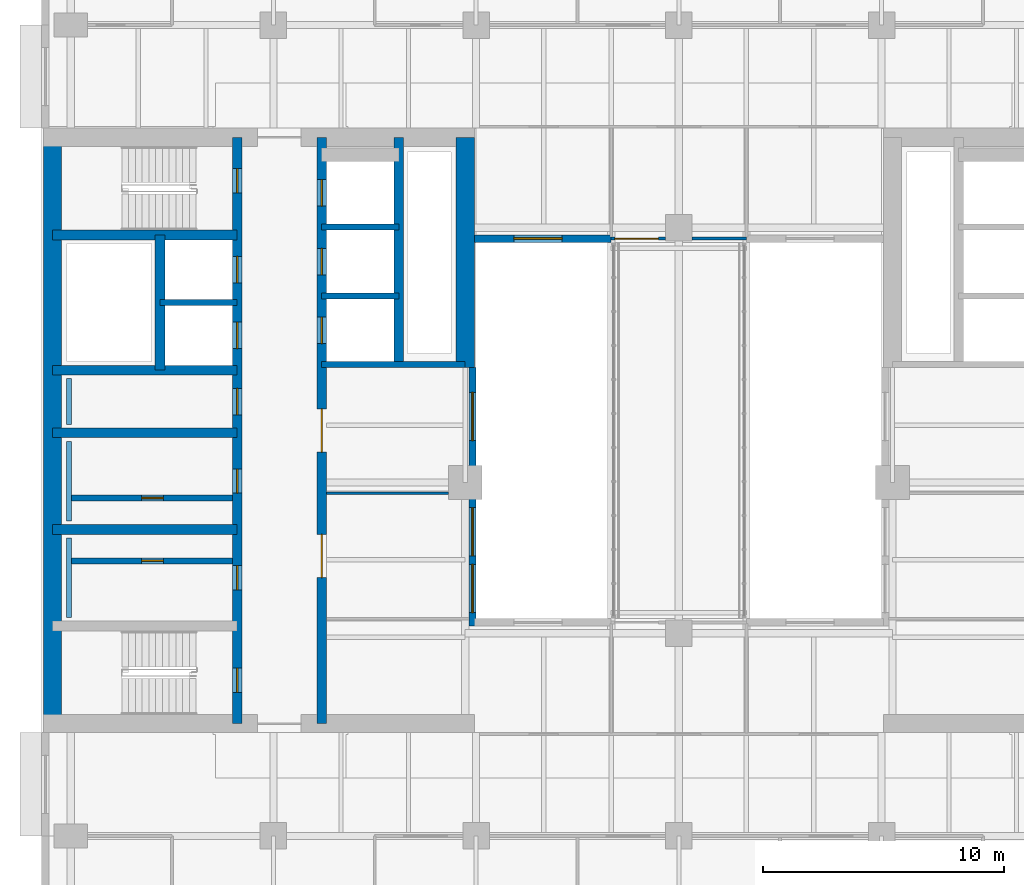
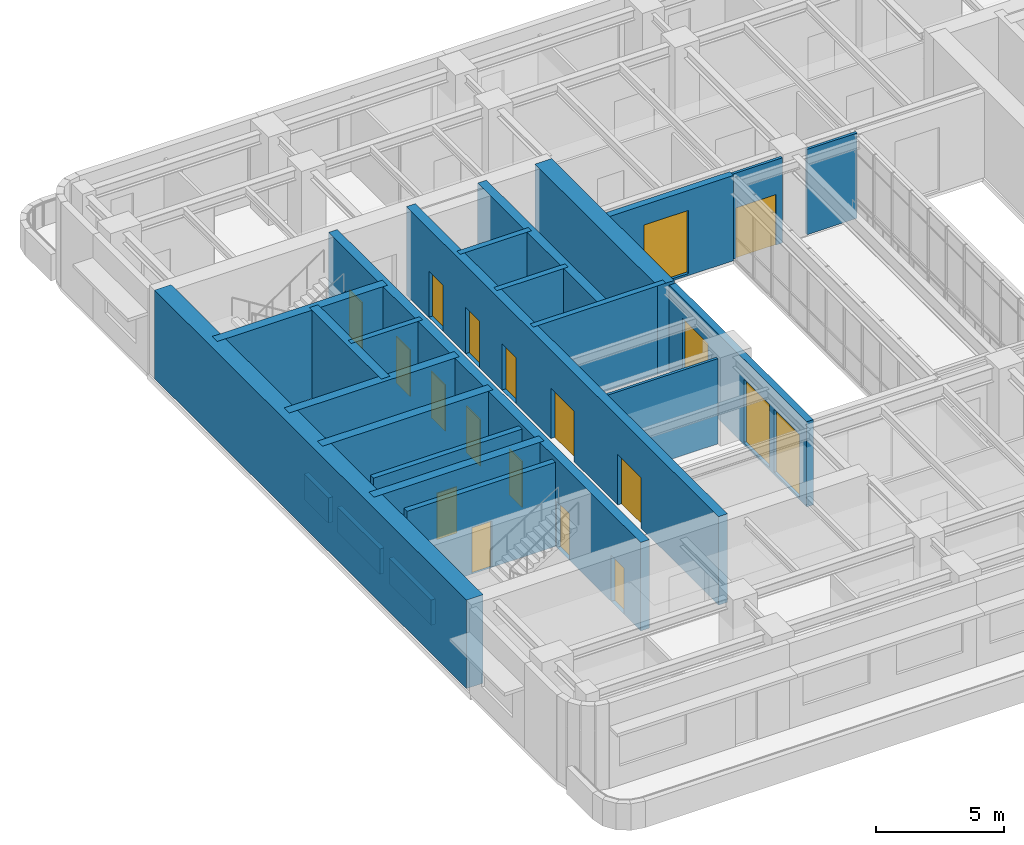
# One storey, part 7 of 15: 24 walls, 15 doors, 4 windows, 19 openings.
"""IFC4 building model written with IfcOpenShell, lengths in metres."""

import ifcopenshell
import ifcopenshell.guid

model = None  # the IFC model being written
_history = None  # IfcOwnerHistory: only IFC2X3 demands one
_inside = {}  # id of a spatial element -> (the spatial element, [elements in it])
_under = {}  # id of a project, library or spatial element -> (it, [spatial elements below it])
_declared = {}  # id of a project -> (the project, [libraries it declares])
_typed = {}  # id of a type object -> (the type object, [elements of that type])
_made_of = {}  # id of a material, layer set ... -> (it, [elements and type objects made of it])


def new_model(schema):
    """Start an empty IFC model of exactly this schema.

    Asked for "IFC4X3", IfcOpenShell would pick the latest addendum, in which some entities
    have other attributes; the version numbers below select the first issue.
    IFC2X3 requires an IfcOwnerHistory on every rooted entity: one is made here for all.
    """
    global model, _history
    if schema == "IFC4X3":
        model = ifcopenshell.file(schema_version=(4, 3, 0, 0))
    else:
        model = ifcopenshell.file(schema=schema)
    _inside.clear()
    _under.clear()
    _declared.clear()
    _typed.clear()
    _made_of.clear()
    _history = None
    if model.schema == "IFC2X3":
        org = make("IfcOrganization", Name="unknown")
        user = make(
            "IfcPersonAndOrganization",
            ThePerson=make("IfcPerson", FamilyName="unknown"),
            TheOrganization=org,
        )
        app = make(
            "IfcApplication",
            ApplicationDeveloper=org,
            Version="unknown",
            ApplicationFullName="unknown",
            ApplicationIdentifier="unknown",
        )
        _history = make(
            "IfcOwnerHistory",
            OwningUser=user,
            OwningApplication=app,
            ChangeAction="ADDED",
            CreationDate=0,
        )
    return model


def make(cls, **values):
    """One entity of the class cls with the attributes given. An attribute that is None is left unset."""
    return model.create_entity(
        cls, **{name: value for name, value in values.items() if value is not None}
    )


def rooted(cls, **values):
    """An entity with a GlobalId (a new one), such as an element, a storey or a relation."""
    return make(cls, GlobalId=ifcopenshell.guid.new(), OwnerHistory=_history, **values)


def si_unit(unit_type, name, prefix=None):
    """IfcSIUnit, for example si_unit("LENGTHUNIT", "METRE", prefix="MILLI")."""
    return make("IfcSIUnit", UnitType=unit_type, Prefix=prefix, Name=name)


def assignment(units):
    """IfcUnitAssignment: the units of a project."""
    return None if units is None else make("IfcUnitAssignment", Units=units)


def point(xyz):
    """IfcCartesianPoint."""
    return None if xyz is None else make("IfcCartesianPoint", Coordinates=xyz)


def direction(xyz):
    """IfcDirection."""
    return None if xyz is None else make("IfcDirection", DirectionRatios=xyz)


def frame(location, z_axis=None, x_axis=None):
    """IfcAxis2Placement3D, a coordinate frame: its origin and axes. An axis left out is left unset."""
    return make(
        "IfcAxis2Placement3D",
        Location=point(location),
        Axis=direction(z_axis),
        RefDirection=direction(x_axis),
    )


def frame_2d(location, x_axis=None):
    """IfcAxis2Placement2D, a coordinate frame in the plane: its origin and x axis."""
    return make(
        "IfcAxis2Placement2D", Location=point(location), RefDirection=direction(x_axis)
    )


def origin():
    """The frame at (0, 0, 0) with its axes left unset."""
    return frame((0.0, 0.0, 0.0))


def place(relative_to, where):
    """IfcLocalPlacement: puts the frame where relative to a parent placement (None: the world)."""
    return make(
        "IfcLocalPlacement", PlacementRelTo=relative_to, RelativePlacement=where
    )


def context(
    kind, dimensions, precision=None, world=None, true_north=None, identifier=None
):
    """IfcGeometricRepresentationContext, for example the 3D "Model" context."""
    return make(
        "IfcGeometricRepresentationContext",
        ContextIdentifier=identifier,
        ContextType=kind,
        CoordinateSpaceDimension=dimensions,
        Precision=precision,
        WorldCoordinateSystem=world,
        TrueNorth=true_north,
    )


def subcontext(parent, identifier, kind, view, scale=None):
    """IfcGeometricRepresentationSubContext, for example "Body" below "Model"."""
    return make(
        "IfcGeometricRepresentationSubContext",
        ContextIdentifier=identifier,
        ContextType=kind,
        ParentContext=parent,
        TargetScale=scale,
        TargetView=view,
    )


def project(units=None, contexts=None):
    """IfcProject with its units and contexts."""
    return rooted(
        "IfcProject",
        Name="project",
        RepresentationContexts=contexts,
        UnitsInContext=assignment(units),
    )


def spatial(cls, under=None, at=None, **own):
    """A site, building, storey or space (cls), placed at a placement, below another one or the project."""
    s = rooted(cls, ObjectPlacement=at, **own)
    if under is not None:
        _under.setdefault(under.id(), (under, []))[1].append(s)
    return s


def profile(cls, at=None, kind="AREA", **sizes):
    """A parametric profile (cls). Its sizes go by their IFC names, for example OverallWidth=200.0."""
    return make(cls, ProfileType=kind, Position=at, **sizes)


def rectangle(**sizes):
    """IfcRectangleProfileDef."""
    return profile("IfcRectangleProfileDef", **sizes)


def extrude(swept, where, along, depth):
    """IfcExtrudedAreaSolid: the profile swept, set in the frame where, extruded along a direction by depth."""
    return make(
        "IfcExtrudedAreaSolid",
        SweptArea=swept,
        Position=where,
        ExtrudedDirection=direction(along),
        Depth=depth,
    )


def shape(context_of_items, identifier, shape_type, items):
    """IfcShapeRepresentation: the items that make up one representation, for example the "Body"."""
    return make(
        "IfcShapeRepresentation",
        ContextOfItems=context_of_items,
        RepresentationIdentifier=identifier,
        RepresentationType=shape_type,
        Items=items,
    )


def material(Name=None, Category=None):
    """IfcMaterial."""
    return make("IfcMaterial", Name=Name, Category=Category)


def layer(
    of_material, thickness, ventilated=None, Name=None, Category=None, Priority=None
):
    """IfcMaterialLayer: one layer of a wall or slab, of a material (None: an air gap)."""
    return make(
        "IfcMaterialLayer",
        Material=of_material,
        LayerThickness=thickness,
        IsVentilated=ventilated,
        Name=Name,
        Category=Category,
        Priority=Priority,
    )


def layer_set(layers, Name=None):
    """IfcMaterialLayerSet."""
    return make("IfcMaterialLayerSet", MaterialLayers=layers, LayerSetName=Name)


def made_of(thing, what):
    """Note that an element or type object is made of a material, layer set ...; save() writes the relation."""
    if what is not None:
        _made_of.setdefault(what.id(), (what, []))[1].append(thing)
    return thing


def type_object(cls, material=None, **own):
    """A type object (cls), such as IfcWallType, which elements share."""
    return made_of(rooted(cls, **own), material)


def element(
    cls,
    number,
    at=None,
    inside=None,
    cuts=None,
    type_object=None,
    material=None,
    context=None,
    identifier="Body",
    shape_type=None,
    held_by="IfcProductDefinitionShape",
    body=None,
    shapes=None,
    **own,
):
    """One element of the class cls, such as IfcWall. Its Tag is "e" and its number.

    at: its placement. inside: the storey or other place that contains it. cuts: it is an
    opening in that element (IfcRelVoidsElement). A single representation is given by context,
    identifier, shape_type and body (its items); several are given by shapes. held_by: the class
    of the entity that holds the representations. save() writes the other relations.
    """
    e = rooted(cls, Tag="e%d" % number, ObjectPlacement=at, **own)
    if body is not None:
        shapes = [shape(context, identifier, shape_type, body)]
    if shapes is not None:
        e.Representation = make(held_by, Representations=shapes)
    if inside is not None:
        _inside.setdefault(inside.id(), (inside, []))[1].append(e)
    if cuts is not None:
        rooted(
            "IfcRelVoidsElement", RelatingBuildingElement=cuts, RelatedOpeningElement=e
        )
    if type_object is not None:
        _typed.setdefault(type_object.id(), (type_object, []))[1].append(e)
    return made_of(e, material)


def fill(opening, filler):
    """IfcRelFillsElement: the door or window that sits in an opening."""
    return rooted(
        "IfcRelFillsElement",
        RelatingOpeningElement=opening,
        RelatedBuildingElement=filler,
    )


def aggregate(whole, parts):
    """IfcRelAggregates: a whole, such as a stair, and the parts it consists of."""
    return rooted("IfcRelAggregates", RelatingObject=whole, RelatedObjects=parts)


def save(model, path):
    """Write the relations noted so far, then the file.

    IfcRelAggregates (storeys below a building ...), IfcRelContainedInSpatialStructure (elements
    in a storey), IfcRelDefinesByType, IfcRelAssociatesMaterial and IfcRelDeclares: one each for
    every whole, place, type object, material and project.
    """
    for whole, parts in _under.values():
        aggregate(whole, parts)
    for where, things in _inside.values():
        rooted(
            "IfcRelContainedInSpatialStructure",
            RelatedElements=things,
            RelatingStructure=where,
        )
    for kind, things in _typed.values():
        rooted("IfcRelDefinesByType", RelatedObjects=things, RelatingType=kind)
    for what, things in _made_of.values():
        rooted("IfcRelAssociatesMaterial", RelatedObjects=things, RelatingMaterial=what)
    for by, libraries in _declared.values():
        rooted("IfcRelDeclares", RelatingContext=by, RelatedDefinitions=libraries)
    model.write(path)


model = new_model("IFC4")

# Units and contexts
model_context = context("Model", 3, precision=1e-05, world=origin(), true_north=direction((0.0, 1.0)))
body_context = subcontext(model_context, "Body", "Model", "MODEL_VIEW")
ifc_project = project(units=[si_unit("LENGTHUNIT", "METRE"), si_unit("AREAUNIT", "SQUARE_METRE"), si_unit("VOLUMEUNIT", "CUBIC_METRE"), si_unit("PLANEANGLEUNIT", "RADIAN"), si_unit("MASSUNIT", "GRAM", prefix="KILO")], contexts=[model_context])

# Site, building, storey
site_placement = place(None, origin())
site = spatial("IfcSite", under=ifc_project, at=site_placement, CompositionType="ELEMENT")
building_placement = place(site_placement, origin())
building = spatial("IfcBuilding", under=site, at=building_placement, Name="Claustro Exchange Tower", CompositionType="ELEMENT")
storey_placement = place(building_placement, frame((0.0, 0.0, 173.39990234375)))
storey = spatial("IfcBuildingStorey", under=building, at=storey_placement, Name="L39", CompositionType="ELEMENT", Elevation=173.39990234375)

# Wall, opening, door
ifc_material_1 = material(Name="Aluminium frame, clear double glazing", Category="aluminium")
ifc_layer_1 = layer(ifc_material_1, 0.1201171875)
ifc_layer_set_1 = layer_set([ifc_layer_1], Name="Aluminium frame, clear double glazing")
wall_type_1 = type_object("IfcWallType", Name="GS2 120 glazed bridge screen", PredefinedType="SOLIDWALL", material=ifc_layer_set_1)
wall_1_placement = place(storey_placement, frame((22.39990234375, 33.14990234375, 0.0), z_axis=(0.0, 0.0, 1.0), x_axis=(1.0, 0.0, 0.0)))
wall_1 = element("IfcWall", 1, at=wall_1_placement, inside=storey, type_object=wall_type_1, Name="Bridge screen GS2 L39", PredefinedType="SOLIDWALL", context=body_context, shape_type="SweptSolid", body=[
    extrude(rectangle(XDim=2.25, YDim=0.1201171875, at=frame_2d((1.125, 0.0))), origin(), (0.0, 0.0, 1.0), 4.050048828125),
])
opening_1_placement = place(wall_1_placement, frame((0.14990234375, 0.0, 0.0)))
opening_1 = element("IfcOpeningElement", 2, at=opening_1_placement, cuts=wall_1, Name="Opening DE4", PredefinedType="OPENING", context=body_context, shape_type="SweptSolid", body=[
    extrude(rectangle(XDim=1.800048828125, YDim=2.39990234375, at=frame_2d((0.89990234375, 1.199951171875))), frame((0.0, 0.070068359375, 0.0), z_axis=(0.0, -1.0, 0.0), x_axis=(1.0, 0.0, 0.0)), (0.0, 0.0, 1.0), 0.14013671875),
])
ifc_material_2 = material(Name="Aluminium frame, clear double glazing", Category="aluminium")
door_type_1 = type_object("IfcDoorType", Name="DE4 1800 x 2400 sky bridge glazed double door", OperationType="DOUBLE_DOOR_SINGLE_SWING", PredefinedType="DOOR", material=ifc_material_2)
door_1_placement = place(opening_1_placement, origin())
door_1 = element("IfcDoor", 3, at=door_1_placement, inside=storey, type_object=door_type_1, Name="Sky bridge door DE4 L39", OperationType="DOUBLE_DOOR_SINGLE_SWING", OverallHeight=2.39990234375, OverallWidth=1.800048828125, PredefinedType="DOOR", context=body_context, shape_type="SweptSolid", body=[
    extrude(rectangle(XDim=1.800048828125, YDim=2.39990234375, at=frame_2d((0.89990234375, 1.199951171875))), frame((0.0, 0.02490234375, 0.0), z_axis=(0.0, -1.0, 0.0), x_axis=(1.0, 0.0, 0.0)), (0.0, 0.0, 1.0), 0.050048828125),
])
fill(opening_1, door_1)

# Walls
wall_2_placement = place(storey_placement, frame((25.75, 33.14990234375, 0.0), z_axis=(0.0, 0.0, 1.0), x_axis=(1.0, 0.0, 0.0)))
element("IfcWall", 4, at=wall_2_placement, inside=storey, type_object=wall_type_1, Name="Bridge screen GS2 L39", PredefinedType="SOLIDWALL", context=body_context, shape_type="SweptSolid", body=[
    extrude(rectangle(XDim=2.25, YDim=0.1201171875, at=frame_2d((1.125, 0.0))), origin(), (0.0, 0.0, 1.0), 4.050048828125),
])
ifc_material_3 = material(Name="Laminated glass in aluminium frame", Category="aluminium")
ifc_layer_2 = layer(ifc_material_3, 0.1201171875)
ifc_layer_set_2 = layer_set([ifc_layer_2], Name="Laminated glass in aluminium frame")
wall_type_2 = type_object("IfcWallType", Name="P2 120 glazed partition", PredefinedType="PARTITIONING", material=ifc_layer_set_2)
wall_3_placement = place(storey_placement, frame((10.597900390625, 22.60009765625, 0.0), z_axis=(0.0, 0.0, 1.0), x_axis=(1.0, 0.0, 0.0)))
element("IfcWall", 5, at=wall_3_placement, inside=storey, type_object=wall_type_2, Name="Partition P2 L39", PredefinedType="PARTITIONING", context=body_context, shape_type="SweptSolid", body=[
    extrude(rectangle(XDim=5.052978515625, YDim=0.1201171875, at=frame_2d((2.5263671875, 0.0))), origin(), (0.0, 0.0, 1.0), 4.050048828125),
])

# Wall, opening, door
ifc_material_4 = material(Name="Concrete blockwork, rendered", Category="masonry")
ifc_layer_3 = layer(ifc_material_4, 0.25)
ifc_layer_set_3 = layer_set([ifc_layer_3], Name="Concrete blockwork, rendered")
wall_type_3 = type_object("IfcWallType", Name="P4 250 blockwork wall", PredefinedType="PARTITIONING", material=ifc_layer_set_3)
wall_4_placement = place(storey_placement, frame((0.02490234375, 22.39990234375, 0.0), z_axis=(0.0, 0.0, 1.0), x_axis=(1.0, 0.0, 0.0)))
wall_4 = element("IfcWall", 6, at=wall_4_placement, inside=storey, type_object=wall_type_3, Name="Partition P4 L39", PredefinedType="PARTITIONING", context=body_context, shape_type="SweptSolid", body=[
    extrude(rectangle(XDim=6.675048828125, YDim=0.25, at=frame_2d((3.33740234375, 0.0))), origin(), (0.0, 0.0, 1.0), 4.0),
])
opening_2_placement = place(wall_4_placement, frame((2.91259765625, 0.0, 0.0)))
opening_2 = element("IfcOpeningElement", 7, at=opening_2_placement, cuts=wall_4, Name="Opening D5", PredefinedType="OPENING", context=body_context, shape_type="SweptSolid", body=[
    extrude(rectangle(XDim=0.89990234375, YDim=2.199951171875, at=frame_2d((0.449951171875, 1.10009765625))), frame((0.0, 0.135009765625, 0.0), z_axis=(0.0, -1.0, 0.0), x_axis=(1.0, 0.0, 0.0)), (0.0, 0.0, 1.0), 0.27001953125),
])
ifc_material_5 = material(Name="Steel door, painted", Category="steel")
door_type_2 = type_object("IfcDoorType", Name="D5 900 x 2200 store door", OperationType="SINGLE_SWING_LEFT", PredefinedType="DOOR", material=ifc_material_5)
door_2_placement = place(opening_2_placement, frame((0.89990234375, 0.0, 0.0), z_axis=(0.0, 0.0, 1.0), x_axis=(-1.0, 0.0, 0.0)))
door_2 = element("IfcDoor", 8, at=door_2_placement, inside=storey, type_object=door_type_2, Name="Store door D5 L39", OperationType="SINGLE_SWING_LEFT", OverallHeight=2.199951171875, OverallWidth=0.89990234375, PredefinedType="DOOR", context=body_context, shape_type="SweptSolid", body=[
    extrude(rectangle(XDim=0.89990234375, YDim=2.199951171875, at=frame_2d((0.449951171875, 1.10009765625))), frame((0.0, 0.02490234375, 0.0), z_axis=(0.0, -1.0, 0.0), x_axis=(1.0, 0.0, 0.0)), (0.0, 0.0, 1.0), 0.050048828125),
])
fill(opening_2, door_2)

wall_5_placement = place(storey_placement, frame((0.02490234375, 19.800048828125, 0.0), z_axis=(0.0, 0.0, 1.0), x_axis=(1.0, 0.0, 0.0)))
wall_5 = element("IfcWall", 9, at=wall_5_placement, inside=storey, type_object=wall_type_3, Name="Partition P4 L39", PredefinedType="PARTITIONING", context=body_context, shape_type="SweptSolid", body=[
    extrude(rectangle(XDim=6.675048828125, YDim=0.25, at=frame_2d((3.33740234375, 0.0))), origin(), (0.0, 0.0, 1.0), 4.0),
])
opening_3_placement = place(wall_5_placement, frame((2.91259765625, 0.0, 0.0)))
opening_3 = element("IfcOpeningElement", 10, at=opening_3_placement, cuts=wall_5, Name="Opening D5", PredefinedType="OPENING", context=body_context, shape_type="SweptSolid", body=[
    extrude(rectangle(XDim=0.89990234375, YDim=2.199951171875, at=frame_2d((0.449951171875, 1.10009765625))), frame((0.0, 0.135009765625, 0.0), z_axis=(0.0, -1.0, 0.0), x_axis=(1.0, 0.0, 0.0)), (0.0, 0.0, 1.0), 0.27001953125),
])
door_3_placement = place(opening_3_placement, origin())
door_3 = element("IfcDoor", 11, at=door_3_placement, inside=storey, type_object=door_type_2, Name="Store door D5 L39", OperationType="SINGLE_SWING_RIGHT", OverallHeight=2.199951171875, OverallWidth=0.89990234375, PredefinedType="DOOR", context=body_context, shape_type="SweptSolid", body=[
    extrude(rectangle(XDim=0.89990234375, YDim=2.199951171875, at=frame_2d((0.449951171875, 1.10009765625))), frame((0.0, 0.02490234375, 0.0), z_axis=(0.0, -1.0, 0.0), x_axis=(1.0, 0.0, 0.0)), (0.0, 0.0, 1.0), 0.050048828125),
])
fill(opening_3, door_3)

# Wall, openings, windows
ifc_material_6 = material(Name="Concrete HA-40 (C40/50), precast, white cement, acid-etched", Category="concrete")
ifc_layer_4 = layer(ifc_material_6, 0.300048828125)
ifc_layer_set_4 = layer_set([ifc_layer_4], Name="Concrete HA-40 (C40/50), precast, white cement, acid-etched")
wall_type_4 = type_object("IfcWallType", Name="PC1 300 precast concrete pier panel", PredefinedType="SOLIDWALL", material=ifc_layer_set_4)
wall_6_placement = place(storey_placement, frame((16.64990234375, 17.10009765625, 0.0), z_axis=(0.0, 0.0, 1.0), x_axis=(0.0, 1.0, 0.0)))
wall_6 = element("IfcWall", 12, at=wall_6_placement, inside=storey, type_object=wall_type_4, Name="Precast pier panel PC1 L39", PredefinedType="SOLIDWALL", context=body_context, shape_type="SweptSolid", body=[
    extrude(rectangle(XDim=10.699951171875, YDim=0.300048828125, at=frame_2d((5.35009765625, 0.0))), origin(), (0.0, 0.0, 1.0), 4.050048828125),
])
opening_4_placement = place(wall_6_placement, frame((0.550048828125, 0.0, 0.10009765625)))
opening_4 = element("IfcOpeningElement", 13, at=opening_4_placement, cuts=wall_6, Name="Opening W-A", PredefinedType="OPENING", context=body_context, shape_type="SweptSolid", body=[
    extrude(rectangle(XDim=2.0, YDim=3.0, at=frame_2d((1.0, 1.5))), frame((0.0, 0.159912109375, 0.0), z_axis=(0.0, -1.0, 0.0), x_axis=(1.0, 0.0, 0.0)), (0.0, 0.0, 1.0), 0.320068359375),
])
opening_5_placement = place(wall_6_placement, frame((2.89990234375, 0.0, 0.10009765625)))
opening_5 = element("IfcOpeningElement", 14, at=opening_5_placement, cuts=wall_6, Name="Opening W-A", PredefinedType="OPENING", context=body_context, shape_type="SweptSolid", body=[
    extrude(rectangle(XDim=2.0, YDim=3.0, at=frame_2d((1.0, 1.5))), frame((0.0, 0.159912109375, 0.0), z_axis=(0.0, -1.0, 0.0), x_axis=(1.0, 0.0, 0.0)), (0.0, 0.0, 1.0), 0.320068359375),
])
opening_6_placement = place(wall_6_placement, frame((7.675048828125, 0.0, 0.10009765625)))
opening_6 = element("IfcOpeningElement", 15, at=opening_6_placement, cuts=wall_6, Name="Opening W-A", PredefinedType="OPENING", context=body_context, shape_type="SweptSolid", body=[
    extrude(rectangle(XDim=2.0, YDim=3.0, at=frame_2d((1.0, 1.5))), frame((0.0, 0.159912109375, 0.0), z_axis=(0.0, -1.0, 0.0), x_axis=(1.0, 0.0, 0.0)), (0.0, 0.0, 1.0), 0.320068359375),
])
ifc_material_7 = material(Name="Aluminium frame, clear double glazing", Category="aluminium")
window_type = type_object("IfcWindowType", Name="W-A 2000 x 3000 arcade window", PartitioningType="SINGLE_PANEL", PredefinedType="WINDOW", material=ifc_material_7)
window_1_placement = place(opening_4_placement, origin())
window_1 = element("IfcWindow", 16, at=window_1_placement, inside=storey, type_object=window_type, Name="Window W-A L39", OverallHeight=3.0, OverallWidth=2.0, PartitioningType="SINGLE_PANEL", PredefinedType="WINDOW", context=body_context, shape_type="SweptSolid", body=[
    extrude(rectangle(XDim=2.0, YDim=3.0, at=frame_2d((1.0, 1.5))), frame((0.0, 0.030029296875, 0.0), z_axis=(0.0, -1.0, 0.0), x_axis=(1.0, 0.0, 0.0)), (0.0, 0.0, 1.0), 0.06005859375),
])
fill(opening_4, window_1)
window_2_placement = place(opening_5_placement, origin())
window_2 = element("IfcWindow", 17, at=window_2_placement, inside=storey, type_object=window_type, Name="Window W-A L39", OverallHeight=3.0, OverallWidth=2.0, PartitioningType="SINGLE_PANEL", PredefinedType="WINDOW", context=body_context, shape_type="SweptSolid", body=[
    extrude(rectangle(XDim=2.0, YDim=3.0, at=frame_2d((1.0, 1.5))), frame((0.0, 0.030029296875, 0.0), z_axis=(0.0, -1.0, 0.0), x_axis=(1.0, 0.0, 0.0)), (0.0, 0.0, 1.0), 0.06005859375),
])
fill(opening_5, window_2)
window_3_placement = place(opening_6_placement, origin())
window_3 = element("IfcWindow", 18, at=window_3_placement, inside=storey, type_object=window_type, Name="Window W-A L39", OverallHeight=3.0, OverallWidth=2.0, PartitioningType="SINGLE_PANEL", PredefinedType="WINDOW", context=body_context, shape_type="SweptSolid", body=[
    extrude(rectangle(XDim=2.0, YDim=3.0, at=frame_2d((1.0, 1.5))), frame((0.0, 0.030029296875, 0.0), z_axis=(0.0, -1.0, 0.0), x_axis=(1.0, 0.0, 0.0)), (0.0, 0.0, 1.0), 0.06005859375),
])
fill(opening_6, window_3)

# Wall, opening, window
wall_7_placement = place(storey_placement, frame((16.72509765625, 33.14990234375, 0.0), z_axis=(0.0, 0.0, 1.0), x_axis=(1.0, 0.0, 0.0)))
wall_7 = element("IfcWall", 19, at=wall_7_placement, inside=storey, type_object=wall_type_4, Name="Precast pier panel PC1 L39", PredefinedType="SOLIDWALL", context=body_context, shape_type="SweptSolid", body=[
    extrude(rectangle(XDim=5.6748046875, YDim=0.300048828125, at=frame_2d((2.83740234375, 0.0))), origin(), (0.0, 0.0, 1.0), 4.050048828125),
])
opening_7_placement = place(wall_7_placement, frame((1.637451171875, 0.0, 0.10009765625)))
opening_7 = element("IfcOpeningElement", 20, at=opening_7_placement, cuts=wall_7, Name="Opening W-A", PredefinedType="OPENING", context=body_context, shape_type="SweptSolid", body=[
    extrude(rectangle(XDim=2.0, YDim=3.0, at=frame_2d((1.0, 1.5))), frame((0.0, 0.159912109375, 0.0), z_axis=(0.0, -1.0, 0.0), x_axis=(1.0, 0.0, 0.0)), (0.0, 0.0, 1.0), 0.320068359375),
])
window_4_placement = place(opening_7_placement, origin())
window_4 = element("IfcWindow", 21, at=window_4_placement, inside=storey, type_object=window_type, Name="Window W-A L39", OverallHeight=3.0, OverallWidth=2.0, PartitioningType="SINGLE_PANEL", PredefinedType="WINDOW", context=body_context, shape_type="SweptSolid", body=[
    extrude(rectangle(XDim=2.0, YDim=3.0, at=frame_2d((1.0, 1.5))), frame((0.0, 0.030029296875, 0.0), z_axis=(0.0, -1.0, 0.0), x_axis=(1.0, 0.0, 0.0)), (0.0, 0.0, 1.0), 0.06005859375),
])
fill(opening_7, window_4)

# Walls
ifc_material_8 = material(Name="Gypsum board on steel studs, tiled", Category="steel")
ifc_layer_5 = layer(ifc_material_8, 0.199951171875)
ifc_layer_set_5 = layer_set([ifc_layer_5], Name="Gypsum board on steel studs, tiled")
wall_type_5 = type_object("IfcWallType", Name="PW1 200 WC duct wall", PredefinedType="PLUMBINGWALL", material=ifc_layer_set_5)
for number, where, z_axis, x_axis, name in (
    (22, (-0.074951171875, 17.449951171875, 0.0), (0.0, 0.0, 1.0), (0.0, 1.0, 0.0), "WC duct wall PW1 L39"),
    (23, (-0.074951171875, 21.449951171875, 0.0), (0.0, 0.0, 1.0), (0.0, 1.0, 0.0), "WC duct wall PW1 L39"),
):
    element("IfcWall", number, at=place(storey_placement, frame(where, z_axis=z_axis, x_axis=x_axis)), inside=storey, type_object=wall_type_5, Name=name, PredefinedType="PLUMBINGWALL", context=body_context, shape_type="SweptSolid", body=[
        extrude(rectangle(XDim=3.300048828125, YDim=0.199951171875, at=frame_2d((1.64990234375, 0.0))), origin(), (0.0, 0.0, 1.0), 1.2001953125),
    ])
wall_8_placement = place(storey_placement, frame((-0.074951171875, 25.449951171875, 0.0), z_axis=(0.0, 0.0, 1.0), x_axis=(0.0, 1.0, 0.0)))
element("IfcWall", 24, at=wall_8_placement, inside=storey, type_object=wall_type_5, Name="WC duct wall PW1 L39", PredefinedType="PLUMBINGWALL", context=body_context, shape_type="SweptSolid", body=[
    extrude(rectangle(XDim=1.900146484375, YDim=0.199951171875, at=frame_2d((0.9501953125, 0.0))), origin(), (0.0, 0.0, 1.0), 1.2001953125),
])
ifc_material_9 = material(Name="Concrete HA-70 (C70/85)", Category="concrete")
ifc_layer_6 = layer(ifc_material_9, 0.75)
ifc_layer_set_6 = layer_set([ifc_layer_6], Name="Concrete HA-70 (C70/85)")
wall_type_6 = type_object("IfcWallType", Name="SW2X 750 exposed core shear wall, board-marked face", PredefinedType="SHEAR", material=ifc_layer_set_6)
wall_9_placement = place(storey_placement, frame((-0.75, 13.050048828125, 0.0), z_axis=(0.0, 0.0, 1.0), x_axis=(0.0, 1.0, 0.0)))
element("IfcWall", 25, at=wall_9_placement, inside=storey, type_object=wall_type_6, Name="Core wall SW2X W core W face L39", PredefinedType="SHEAR", context=body_context, shape_type="SweptSolid", body=[
    extrude(rectangle(XDim=24.300048828125, YDim=0.75, at=frame_2d((12.14990234375, 0.0))), origin(), (0.0, 0.0, 1.0), 4.2001953125),
])
wall_10_placement = place(storey_placement, frame((16.35009765625, 27.800048828125, 0.0), z_axis=(0.0, 0.0, 1.0), x_axis=(0.0, 1.0, 0.0)))
element("IfcWall", 26, at=wall_10_placement, inside=storey, type_object=wall_type_6, Name="Core wall SW2X W core E face L39", PredefinedType="SHEAR", context=body_context, shape_type="SweptSolid", body=[
    extrude(rectangle(XDim=9.550048828125, YDim=0.75, at=frame_2d((4.77490234375, 0.0))), origin(), (0.0, 0.0, 1.0), 4.2001953125),
])

# Wall, openings, doors
ifc_material_10 = material(Name="Concrete HA-50 (C50/60)", Category="concrete")
ifc_layer_7 = layer(ifc_material_10, 0.39990234375)
ifc_layer_set_7 = layer_set([ifc_layer_7], Name="Concrete HA-50 (C50/60)")
wall_type_7 = type_object("IfcWallType", Name="SW4 400 internal core wall", PredefinedType="SHEAR", material=ifc_layer_set_7)
wall_11_placement = place(storey_placement, frame((6.89990234375, 13.050048828125, 0.0), z_axis=(0.0, 0.0, 1.0), x_axis=(0.0, 1.0, 0.0)))
wall_11 = element("IfcWall", 27, at=wall_11_placement, inside=storey, type_object=wall_type_7, Name="Internal core wall SW4 W core L39", PredefinedType="SHEAR", context=body_context, shape_type="SweptSolid", body=[
    extrude(rectangle(XDim=24.300048828125, YDim=0.39990234375, at=frame_2d((12.14990234375, 0.0))), origin(), (0.0, 0.0, 1.0), 4.2001953125),
])
opening_8_placement = place(wall_11_placement, frame((1.300048828125, 0.0, 0.0)))
opening_8 = element("IfcOpeningElement", 28, at=opening_8_placement, cuts=wall_11, Name="Opening D4", PredefinedType="OPENING", context=body_context, shape_type="SweptSolid", body=[
    extrude(rectangle(XDim=1.0, YDim=2.199951171875, at=frame_2d((0.5, 1.10009765625))), frame((0.0, 0.2099609375, 0.0), z_axis=(0.0, -1.0, 0.0), x_axis=(1.0, 0.0, 0.0)), (0.0, 0.0, 1.0), 0.419921875),
])
opening_9_placement = place(wall_11_placement, frame((22.0, 0.0, 0.0)))
opening_9 = element("IfcOpeningElement", 29, at=opening_9_placement, cuts=wall_11, Name="Opening D4", PredefinedType="OPENING", context=body_context, shape_type="SweptSolid", body=[
    extrude(rectangle(XDim=1.0, YDim=2.199951171875, at=frame_2d((0.5, 1.10009765625))), frame((0.0, 0.2099609375, 0.0), z_axis=(0.0, -1.0, 0.0), x_axis=(1.0, 0.0, 0.0)), (0.0, 0.0, 1.0), 0.419921875),
])
opening_10_placement = place(wall_11_placement, frame((5.550048828125, 0.0, 0.0)))
opening_10 = element("IfcOpeningElement", 30, at=opening_10_placement, cuts=wall_11, Name="Opening D1", PredefinedType="OPENING", context=body_context, shape_type="SweptSolid", body=[
    extrude(rectangle(XDim=1.0, YDim=2.199951171875, at=frame_2d((0.5, 1.10009765625))), frame((0.0, 0.2099609375, 0.0), z_axis=(0.0, -1.0, 0.0), x_axis=(1.0, 0.0, 0.0)), (0.0, 0.0, 1.0), 0.419921875),
])
opening_11_placement = place(wall_11_placement, frame((9.550048828125, 0.0, 0.0)))
opening_11 = element("IfcOpeningElement", 31, at=opening_11_placement, cuts=wall_11, Name="Opening D1", PredefinedType="OPENING", context=body_context, shape_type="SweptSolid", body=[
    extrude(rectangle(XDim=1.0, YDim=2.199951171875, at=frame_2d((0.5, 1.10009765625))), frame((0.0, 0.2099609375, 0.0), z_axis=(0.0, -1.0, 0.0), x_axis=(1.0, 0.0, 0.0)), (0.0, 0.0, 1.0), 0.419921875),
])
opening_12_placement = place(wall_11_placement, frame((12.800048828125, 0.0, 0.0)))
opening_12 = element("IfcOpeningElement", 32, at=opening_12_placement, cuts=wall_11, Name="Opening D10", PredefinedType="OPENING", context=body_context, shape_type="SweptSolid", body=[
    extrude(rectangle(XDim=1.10009765625, YDim=2.199951171875, at=frame_2d((0.550048828125, 1.10009765625))), frame((0.0, 0.2099609375, 0.0), z_axis=(0.0, -1.0, 0.0), x_axis=(1.0, 0.0, 0.0)), (0.0, 0.0, 1.0), 0.419921875),
])
opening_13_placement = place(wall_11_placement, frame((15.53759765625, 0.0, 0.0)))
opening_13 = element("IfcOpeningElement", 33, at=opening_13_placement, cuts=wall_11, Name="Opening LD", PredefinedType="OPENING", context=body_context, shape_type="SweptSolid", body=[
    extrude(rectangle(XDim=1.10009765625, YDim=2.199951171875, at=frame_2d((0.550048828125, 1.10009765625))), frame((0.0, 0.2099609375, 0.0), z_axis=(0.0, -1.0, 0.0), x_axis=(1.0, 0.0, 0.0)), (0.0, 0.0, 1.0), 0.419921875),
])
opening_14_placement = place(wall_11_placement, frame((18.262451171875, 0.0, 0.0)))
opening_14 = element("IfcOpeningElement", 34, at=opening_14_placement, cuts=wall_11, Name="Opening LD", PredefinedType="OPENING", context=body_context, shape_type="SweptSolid", body=[
    extrude(rectangle(XDim=1.10009765625, YDim=2.199951171875, at=frame_2d((0.550048828125, 1.10009765625))), frame((0.0, 0.2099609375, 0.0), z_axis=(0.0, -1.0, 0.0), x_axis=(1.0, 0.0, 0.0)), (0.0, 0.0, 1.0), 0.419921875),
])
ifc_material_11 = material(Name="Timber door, oak veneer", Category="wood")
door_type_3 = type_object("IfcDoorType", Name="D1 1000 x 2200 single door", OperationType="SINGLE_SWING_LEFT", PredefinedType="DOOR", material=ifc_material_11)
door_4_placement = place(opening_10_placement, origin())
door_4 = element("IfcDoor", 35, at=door_4_placement, inside=storey, type_object=door_type_3, Name="Door D1 L39", OperationType="SINGLE_SWING_RIGHT", OverallHeight=2.199951171875, OverallWidth=1.0, PredefinedType="DOOR", context=body_context, shape_type="SweptSolid", body=[
    extrude(rectangle(XDim=1.0, YDim=2.199951171875, at=frame_2d((0.5, 1.10009765625))), frame((0.0, 0.02490234375, 0.0), z_axis=(0.0, -1.0, 0.0), x_axis=(1.0, 0.0, 0.0)), (0.0, 0.0, 1.0), 0.050048828125),
])
fill(opening_10, door_4)
door_5_placement = place(opening_11_placement, origin())
door_5 = element("IfcDoor", 36, at=door_5_placement, inside=storey, type_object=door_type_3, Name="Door D1 L39", OperationType="SINGLE_SWING_LEFT", OverallHeight=2.199951171875, OverallWidth=1.0, PredefinedType="DOOR", context=body_context, shape_type="SweptSolid", body=[
    extrude(rectangle(XDim=1.0, YDim=2.199951171875, at=frame_2d((0.5, 1.10009765625))), frame((0.0, 0.02490234375, 0.0), z_axis=(0.0, -1.0, 0.0), x_axis=(1.0, 0.0, 0.0)), (0.0, 0.0, 1.0), 0.050048828125),
])
fill(opening_11, door_5)
ifc_material_12 = material(Name="Timber door, oak veneer", Category="wood")
door_type_4 = type_object("IfcDoorType", Name="D10 1100 x 2200 accessible WC door", OperationType="SINGLE_SWING_LEFT", PredefinedType="DOOR", material=ifc_material_12)
door_6_placement = place(opening_12_placement, frame((1.10009765625, 0.0, 0.0), z_axis=(0.0, 0.0, 1.0), x_axis=(-1.0, 0.0, 0.0)))
door_6 = element("IfcDoor", 37, at=door_6_placement, inside=storey, type_object=door_type_4, Name="Accessible WC door D10 L39", OperationType="SINGLE_SWING_LEFT", OverallHeight=2.199951171875, OverallWidth=1.10009765625, PredefinedType="DOOR", context=body_context, shape_type="SweptSolid", body=[
    extrude(rectangle(XDim=1.10009765625, YDim=2.199951171875, at=frame_2d((0.550048828125, 1.10009765625))), frame((0.0, 0.02490234375, 0.0), z_axis=(0.0, -1.0, 0.0), x_axis=(1.0, 0.0, 0.0)), (0.0, 0.0, 1.0), 0.050048828125),
])
fill(opening_12, door_6)
ifc_material_13 = material(Name="Steel fire door, painted", Category="steel")
door_type_5 = type_object("IfcDoorType", Name="D4 1000 x 2200 fire-rated stair door", OperationType="SINGLE_SWING_LEFT", PredefinedType="DOOR", material=ifc_material_13)
door_7_placement = place(opening_8_placement, origin())
door_7 = element("IfcDoor", 38, at=door_7_placement, inside=storey, type_object=door_type_5, Name="Stair door D4 L39", OperationType="SINGLE_SWING_LEFT", OverallHeight=2.199951171875, OverallWidth=1.0, PredefinedType="DOOR", context=body_context, shape_type="SweptSolid", body=[
    extrude(rectangle(XDim=1.0, YDim=2.199951171875, at=frame_2d((0.5, 1.10009765625))), frame((0.0, 0.02490234375, 0.0), z_axis=(0.0, -1.0, 0.0), x_axis=(1.0, 0.0, 0.0)), (0.0, 0.0, 1.0), 0.050048828125),
])
fill(opening_8, door_7)
door_8_placement = place(opening_9_placement, origin())
door_8 = element("IfcDoor", 39, at=door_8_placement, inside=storey, type_object=door_type_5, Name="Stair door D4 L39", OperationType="SINGLE_SWING_RIGHT", OverallHeight=2.199951171875, OverallWidth=1.0, PredefinedType="DOOR", context=body_context, shape_type="SweptSolid", body=[
    extrude(rectangle(XDim=1.0, YDim=2.199951171875, at=frame_2d((0.5, 1.10009765625))), frame((0.0, 0.02490234375, 0.0), z_axis=(0.0, -1.0, 0.0), x_axis=(1.0, 0.0, 0.0)), (0.0, 0.0, 1.0), 0.050048828125),
])
fill(opening_9, door_8)
ifc_material_14 = material(Name="Stainless steel sliding door", Category="steel")
door_type_6 = type_object("IfcDoorType", Name="LD 1100 x 2200 lift landing door", OperationType="DOUBLE_DOOR_SLIDING", PredefinedType="DOOR", material=ifc_material_14)
door_9_placement = place(opening_13_placement, origin())
door_9 = element("IfcDoor", 40, at=door_9_placement, inside=storey, type_object=door_type_6, Name="Lift landing door LEW1 LD L39", OperationType="DOUBLE_DOOR_SLIDING", OverallHeight=2.199951171875, OverallWidth=1.10009765625, PredefinedType="DOOR", context=body_context, shape_type="SweptSolid", body=[
    extrude(rectangle(XDim=1.10009765625, YDim=2.199951171875, at=frame_2d((0.550048828125, 1.10009765625))), frame((0.0, 0.02490234375, 0.0), z_axis=(0.0, -1.0, 0.0), x_axis=(1.0, 0.0, 0.0)), (0.0, 0.0, 1.0), 0.050048828125),
])
fill(opening_13, door_9)
door_10_placement = place(opening_14_placement, origin())
door_10 = element("IfcDoor", 41, at=door_10_placement, inside=storey, type_object=door_type_6, Name="Lift landing door LEW2 LD L39", OperationType="DOUBLE_DOOR_SLIDING", OverallHeight=2.199951171875, OverallWidth=1.10009765625, PredefinedType="DOOR", context=body_context, shape_type="SweptSolid", body=[
    extrude(rectangle(XDim=1.10009765625, YDim=2.199951171875, at=frame_2d((0.550048828125, 1.10009765625))), frame((0.0, 0.02490234375, 0.0), z_axis=(0.0, -1.0, 0.0), x_axis=(1.0, 0.0, 0.0)), (0.0, 0.0, 1.0), 0.050048828125),
])
fill(opening_14, door_10)

wall_12_placement = place(storey_placement, frame((10.39990234375, 13.050048828125, 0.0), z_axis=(0.0, 0.0, 1.0), x_axis=(0.0, 1.0, 0.0)))
wall_12 = element("IfcWall", 42, at=wall_12_placement, inside=storey, type_object=wall_type_7, Name="Internal core wall SW4 W core L39", PredefinedType="SHEAR", context=body_context, shape_type="SweptSolid", body=[
    extrude(rectangle(XDim=24.300048828125, YDim=0.39990234375, at=frame_2d((12.14990234375, 0.0))), origin(), (0.0, 0.0, 1.0), 4.2001953125),
])
opening_15_placement = place(wall_12_placement, frame((15.75, 0.0, 0.0)))
opening_15 = element("IfcOpeningElement", 43, at=opening_15_placement, cuts=wall_12, Name="Opening LD", PredefinedType="OPENING", context=body_context, shape_type="SweptSolid", body=[
    extrude(rectangle(XDim=1.10009765625, YDim=2.199951171875, at=frame_2d((0.550048828125, 1.10009765625))), frame((0.0, 0.2099609375, 0.0), z_axis=(0.0, -1.0, 0.0), x_axis=(1.0, 0.0, 0.0)), (0.0, 0.0, 1.0), 0.419921875),
])
opening_16_placement = place(wall_12_placement, frame((18.60009765625, 0.0, 0.0)))
opening_16 = element("IfcOpeningElement", 44, at=opening_16_placement, cuts=wall_12, Name="Opening LD", PredefinedType="OPENING", context=body_context, shape_type="SweptSolid", body=[
    extrude(rectangle(XDim=1.10009765625, YDim=2.199951171875, at=frame_2d((0.550048828125, 1.10009765625))), frame((0.0, 0.2099609375, 0.0), z_axis=(0.0, -1.0, 0.0), x_axis=(1.0, 0.0, 0.0)), (0.0, 0.0, 1.0), 0.419921875),
])
opening_17_placement = place(wall_12_placement, frame((21.449951171875, 0.0, 0.0)))
opening_17 = element("IfcOpeningElement", 45, at=opening_17_placement, cuts=wall_12, Name="Opening LD", PredefinedType="OPENING", context=body_context, shape_type="SweptSolid", body=[
    extrude(rectangle(XDim=1.10009765625, YDim=2.199951171875, at=frame_2d((0.550048828125, 1.10009765625))), frame((0.0, 0.2099609375, 0.0), z_axis=(0.0, -1.0, 0.0), x_axis=(1.0, 0.0, 0.0)), (0.0, 0.0, 1.0), 0.419921875),
])
opening_18_placement = place(wall_12_placement, frame((6.050048828125, 0.0, 0.0)))
opening_18 = element("IfcOpeningElement", 46, at=opening_18_placement, cuts=wall_12, Name="Opening D3", PredefinedType="OPENING", context=body_context, shape_type="SweptSolid", body=[
    extrude(rectangle(XDim=1.800048828125, YDim=2.39990234375, at=frame_2d((0.89990234375, 1.199951171875))), frame((0.0, 0.2099609375, 0.0), z_axis=(0.0, -1.0, 0.0), x_axis=(1.0, 0.0, 0.0)), (0.0, 0.0, 1.0), 0.419921875),
])
opening_19_placement = place(wall_12_placement, frame((11.25, 0.0, 0.0)))
opening_19 = element("IfcOpeningElement", 47, at=opening_19_placement, cuts=wall_12, Name="Opening D3", PredefinedType="OPENING", context=body_context, shape_type="SweptSolid", body=[
    extrude(rectangle(XDim=1.800048828125, YDim=2.39990234375, at=frame_2d((0.89990234375, 1.199951171875))), frame((0.0, 0.2099609375, 0.0), z_axis=(0.0, -1.0, 0.0), x_axis=(1.0, 0.0, 0.0)), (0.0, 0.0, 1.0), 0.419921875),
])
ifc_material_15 = material(Name="Steel fire door, painted", Category="steel")
door_type_7 = type_object("IfcDoorType", Name="D3 1800 x 2400 fire-rated lobby double door", OperationType="DOUBLE_DOOR_SINGLE_SWING", PredefinedType="DOOR", material=ifc_material_15)
door_11_placement = place(opening_18_placement, frame((1.800048828125, 0.0, 0.0), z_axis=(0.0, 0.0, 1.0), x_axis=(-1.0, 0.0, 0.0)))
door_11 = element("IfcDoor", 48, at=door_11_placement, inside=storey, type_object=door_type_7, Name="Core zone door D3 L39", OperationType="DOUBLE_DOOR_SINGLE_SWING", OverallHeight=2.39990234375, OverallWidth=1.800048828125, PredefinedType="DOOR", context=body_context, shape_type="SweptSolid", body=[
    extrude(rectangle(XDim=1.800048828125, YDim=2.39990234375, at=frame_2d((0.89990234375, 1.199951171875))), frame((0.0, 0.02490234375, 0.0), z_axis=(0.0, -1.0, 0.0), x_axis=(1.0, 0.0, 0.0)), (0.0, 0.0, 1.0), 0.050048828125),
])
fill(opening_18, door_11)
door_12_placement = place(opening_19_placement, frame((1.800048828125, 0.0, 0.0), z_axis=(0.0, 0.0, 1.0), x_axis=(-1.0, 0.0, 0.0)))
door_12 = element("IfcDoor", 49, at=door_12_placement, inside=storey, type_object=door_type_7, Name="Core zone door D3 L39", OperationType="DOUBLE_DOOR_SINGLE_SWING", OverallHeight=2.39990234375, OverallWidth=1.800048828125, PredefinedType="DOOR", context=body_context, shape_type="SweptSolid", body=[
    extrude(rectangle(XDim=1.800048828125, YDim=2.39990234375, at=frame_2d((0.89990234375, 1.199951171875))), frame((0.0, 0.02490234375, 0.0), z_axis=(0.0, -1.0, 0.0), x_axis=(1.0, 0.0, 0.0)), (0.0, 0.0, 1.0), 0.050048828125),
])
fill(opening_19, door_12)
door_13_placement = place(opening_15_placement, origin())
door_13 = element("IfcDoor", 50, at=door_13_placement, inside=storey, type_object=door_type_6, Name="Lift landing door LHW1 LD L39", OperationType="DOUBLE_DOOR_SLIDING", OverallHeight=2.199951171875, OverallWidth=1.10009765625, PredefinedType="DOOR", context=body_context, shape_type="SweptSolid", body=[
    extrude(rectangle(XDim=1.10009765625, YDim=2.199951171875, at=frame_2d((0.550048828125, 1.10009765625))), frame((0.0, 0.02490234375, 0.0), z_axis=(0.0, -1.0, 0.0), x_axis=(1.0, 0.0, 0.0)), (0.0, 0.0, 1.0), 0.050048828125),
])
fill(opening_15, door_13)
door_14_placement = place(opening_16_placement, origin())
door_14 = element("IfcDoor", 51, at=door_14_placement, inside=storey, type_object=door_type_6, Name="Lift landing door LHW2 LD L39", OperationType="DOUBLE_DOOR_SLIDING", OverallHeight=2.199951171875, OverallWidth=1.10009765625, PredefinedType="DOOR", context=body_context, shape_type="SweptSolid", body=[
    extrude(rectangle(XDim=1.10009765625, YDim=2.199951171875, at=frame_2d((0.550048828125, 1.10009765625))), frame((0.0, 0.02490234375, 0.0), z_axis=(0.0, -1.0, 0.0), x_axis=(1.0, 0.0, 0.0)), (0.0, 0.0, 1.0), 0.050048828125),
])
fill(opening_16, door_14)
door_15_placement = place(opening_17_placement, origin())
door_15 = element("IfcDoor", 52, at=door_15_placement, inside=storey, type_object=door_type_6, Name="Lift landing door LSW1 LD L39", OperationType="DOUBLE_DOOR_SLIDING", OverallHeight=2.199951171875, OverallWidth=1.10009765625, PredefinedType="DOOR", context=body_context, shape_type="SweptSolid", body=[
    extrude(rectangle(XDim=1.10009765625, YDim=2.199951171875, at=frame_2d((0.550048828125, 1.10009765625))), frame((0.0, 0.02490234375, 0.0), z_axis=(0.0, -1.0, 0.0), x_axis=(1.0, 0.0, 0.0)), (0.0, 0.0, 1.0), 0.050048828125),
])
fill(opening_17, door_15)

# Walls
wall_13_placement = place(storey_placement, frame((13.60009765625, 27.925048828125, 0.0), z_axis=(0.0, 0.0, 1.0), x_axis=(0.0, 1.0, 0.0)))
element("IfcWall", 53, at=wall_13_placement, inside=storey, type_object=wall_type_7, Name="Internal core wall SW4 W core L39", PredefinedType="SHEAR", context=body_context, shape_type="SweptSolid", body=[
    extrude(rectangle(XDim=9.425048828125, YDim=0.39990234375, at=frame_2d((4.71240234375, 0.0))), origin(), (0.0, 0.0, 1.0), 4.2001953125),
])
for number, where, z_axis, x_axis, name in (
    (54, (-0.75, 21.10009765625, 0.0), (0.0, 0.0, 1.0), (1.0, 0.0, 0.0), "Internal core wall SW4 W core L39"),
    (55, (-0.75, 25.10009765625, 0.0), (0.0, 0.0, 1.0), (1.0, 0.0, 0.0), "Internal core wall SW4 W core L39"),
    (56, (-0.75, 27.699951171875, 0.0), (0.0, 0.0, 1.0), (1.0, 0.0, 0.0), "Internal core wall SW4 W core L39"),
    (57, (-0.75, 33.300048828125, 0.0), (0.0, 0.0, 1.0), (1.0, 0.0, 0.0), "Internal core wall SW4 W core L39"),
):
    element("IfcWall", number, at=place(storey_placement, frame(where, z_axis=z_axis, x_axis=x_axis)), inside=storey, type_object=wall_type_7, Name=name, PredefinedType="SHEAR", context=body_context, shape_type="SweptSolid", body=[
        extrude(rectangle(XDim=7.64990234375, YDim=0.39990234375, at=frame_2d((3.824951171875, 0.0))), origin(), (0.0, 0.0, 1.0), 4.2001953125),
    ])
wall_14_placement = place(storey_placement, frame((3.699951171875, 27.699951171875, 0.0), z_axis=(0.0, 0.0, 1.0), x_axis=(0.0, 1.0, 0.0)))
element("IfcWall", 58, at=wall_14_placement, inside=storey, type_object=wall_type_7, Name="Internal core wall SW4 W core L39", PredefinedType="SHEAR", context=body_context, shape_type="SweptSolid", body=[
    extrude(rectangle(XDim=5.60009765625, YDim=0.39990234375, at=frame_2d((2.800048828125, 0.0))), origin(), (0.0, 0.0, 1.0), 4.2001953125),
])
ifc_material_16 = material(Name="Concrete HA-50 (C50/60)", Category="concrete")
ifc_layer_8 = layer(ifc_material_16, 0.25)
ifc_layer_set_8 = layer_set([ifc_layer_8], Name="Concrete HA-50 (C50/60)")
wall_type_8 = type_object("IfcWallType", Name="SW5 250 lift shaft divider wall", PredefinedType="SHEAR", material=ifc_layer_set_8)
wall_15_placement = place(storey_placement, frame((3.699951171875, 30.5, 0.0), z_axis=(0.0, 0.0, 1.0), x_axis=(1.0, 0.0, 0.0)))
element("IfcWall", 59, at=wall_15_placement, inside=storey, type_object=wall_type_8, Name="Lift shaft wall W core L39", PredefinedType="SHEAR", context=body_context, shape_type="SweptSolid", body=[
    extrude(rectangle(XDim=3.199951171875, YDim=0.25, at=frame_2d((1.60009765625, 0.0))), origin(), (0.0, 0.0, 1.0), 4.2001953125),
])
wall_16_placement = place(storey_placement, frame((10.39990234375, 27.925048828125, 0.0), z_axis=(0.0, 0.0, 1.0), x_axis=(1.0, 0.0, 0.0)))
element("IfcWall", 60, at=wall_16_placement, inside=storey, type_object=wall_type_8, Name="Core step wall W core L39", PredefinedType="SHEAR", context=body_context, shape_type="SweptSolid", body=[
    extrude(rectangle(XDim=5.9501953125, YDim=0.25, at=frame_2d((2.97509765625, 0.0))), origin(), (0.0, 0.0, 1.0), 4.2001953125),
])
for number, where, z_axis, x_axis, name in (
    (61, (10.39990234375, 30.77490234375, 0.0), (0.0, 0.0, 1.0), (1.0, 0.0, 0.0), "Lift shaft wall W core L39"),
    (62, (10.39990234375, 33.625, 0.0), (0.0, 0.0, 1.0), (1.0, 0.0, 0.0), "Lift shaft wall W core L39"),
):
    element("IfcWall", number, at=place(storey_placement, frame(where, z_axis=z_axis, x_axis=x_axis)), inside=storey, type_object=wall_type_8, Name=name, PredefinedType="SHEAR", context=body_context, shape_type="SweptSolid", body=[
        extrude(rectangle(XDim=3.2001953125, YDim=0.25, at=frame_2d((1.60009765625, 0.0))), origin(), (0.0, 0.0, 1.0), 4.2001953125),
    ])

save(model, "model.ifc")
